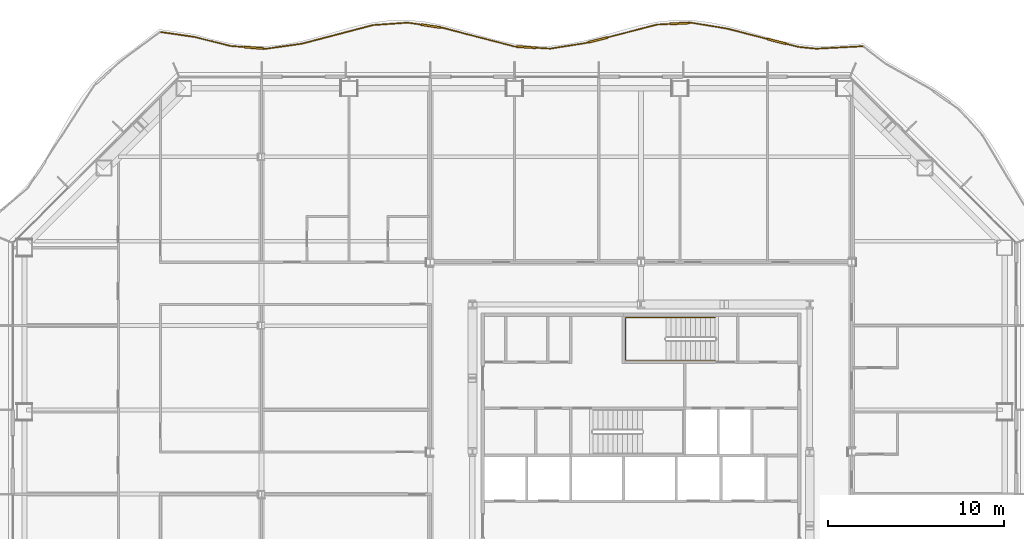
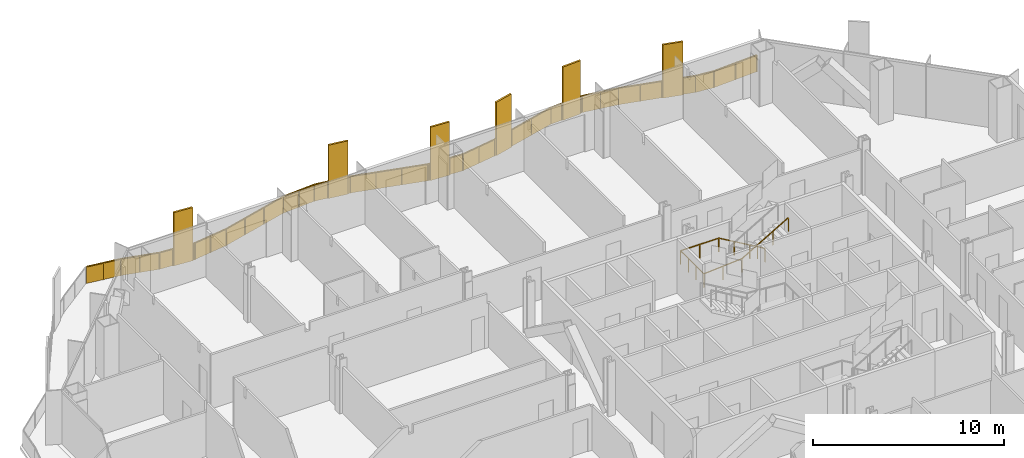
# One storey, part 17 of 18: 2 railings.
"""IFC4 building model written with IfcOpenShell, lengths in metres."""

from ifc_helpers import new_model, si_unit, direction, frame, origin, origin_2d, place, context, subcontext, project, spatial, polyline, rectangle, outline, extrude, material, type_object, element, save


model = new_model("IFC4")

# Units and contexts
model_context = context("Model", 3, precision=1e-05, world=origin(), true_north=direction((0.0, 1.0)))
body_context = subcontext(model_context, "Body", "Model", "MODEL_VIEW")
ifc_project = project(units=[si_unit("LENGTHUNIT", "METRE"), si_unit("AREAUNIT", "SQUARE_METRE"), si_unit("VOLUMEUNIT", "CUBIC_METRE"), si_unit("PLANEANGLEUNIT", "RADIAN"), si_unit("MASSUNIT", "GRAM", prefix="KILO")], contexts=[model_context])

# Site, building, storey
site_placement = place(None, origin())
site = spatial("IfcSite", under=ifc_project, at=site_placement, CompositionType="ELEMENT")
building_placement = place(site_placement, origin())
building = spatial("IfcBuilding", under=site, at=building_placement, Name="Cairn Pilgrim Tower", CompositionType="ELEMENT")
storey_placement = place(building_placement, frame((0.0, 0.0, 65.39990234375)))
storey = spatial("IfcBuildingStorey", under=building, at=storey_placement, Name="L14", CompositionType="ELEMENT", Elevation=65.39990234375)

# Railings
ifc_material_1 = material(Name="Bronze anodised aluminium rail, posts and fin screens with laminated glass infill", Category="aluminium")
railing_type_1 = type_object("IfcRailingType", Name="BALCONY GUARD WITH FIN SCREENS", PredefinedType="GUARDRAIL", material=ifc_material_1)
railing_1_placement = place(storey_placement, frame((19.83642578125, 25.498779296875, 0.0)))
element("IfcRailing", 1, at=railing_1_placement, inside=storey, type_object=railing_type_1, Name="Balcony guard BGF-4 with fin screens", PredefinedType="GUARDRAIL", context=body_context, shape_type="SweptSolid", body=[
    extrude(rectangle(XDim=0.050048828125, YDim=0.050048828125, at=origin_2d()), frame((0.0, 0.0, 1.0751953125), z_axis=(-0.998596742131, -0.052957970176, 0.0), x_axis=(0.052957970176, -0.998596742131, 0.0)), (0.0, 0.0, 1.0), 2.66455078125),
    extrude(rectangle(XDim=0.050048828125, YDim=0.050048828125, at=origin_2d()), frame((-2.660888671875, -0.14111328125, 1.0751953125), z_axis=(-0.995136774735, 0.098502789656, 0.0), x_axis=(-0.098502789656, -0.995136774735, 0.0)), (0.0, 0.0, 1.0), 1.03857421875),
    extrude(rectangle(XDim=1.10009765625, YDim=0.110107421875, at=origin_2d()), frame((-4.915283203125, 0.275390625, 0.0), z_axis=(0.0, 0.0, 1.0), x_axis=(-0.968428079221, 0.249293111368, 0.0)), (0.0, 0.0, 1.0), 3.39990234375),
    extrude(rectangle(XDim=0.050048828125, YDim=0.050048828125, at=origin_2d()), frame((-3.6943359375, -0.038818359375, 1.0751953125), z_axis=(-0.968428079221, 0.249293111368, 0.0), x_axis=(-0.249293111368, -0.968428079221, 0.0)), (0.0, 0.0, 1.0), 0.710693359375),
    extrude(rectangle(XDim=0.050048828125, YDim=0.050048828125, at=origin_2d()), frame((-5.447998046875, 0.41259765625, 1.0751953125), z_axis=(-0.968428079221, 0.249293111368, 0.0), x_axis=(-0.249293111368, -0.968428079221, 0.0)), (0.0, 0.0, 1.0), 2.367919921875),
    extrude(rectangle(XDim=0.050048828125, YDim=0.050048828125, at=origin_2d()), frame((-7.7412109375, 1.0029296875, 1.0751953125), z_axis=(-0.986633917452, 0.162952486733, 0.0), x_axis=(-0.162952486733, -0.986633917452, 0.0)), (0.0, 0.0, 1.0), 2.025634765625),
    extrude(rectangle(XDim=1.10009765625, YDim=0.110107421875, at=origin_2d()), frame((-10.4384765625, 1.297119140625, 0.0), z_axis=(0.0, 0.0, 1.0), x_axis=(-0.998687020495, -0.051227288571, 0.0)), (0.0, 0.0, 1.0), 3.39990234375),
    extrude(rectangle(XDim=0.050048828125, YDim=0.050048828125, at=origin_2d()), frame((-9.73974609375, 1.3330078125, 1.0751953125), z_axis=(-0.998687020495, -0.051227288571, 0.0), x_axis=(0.051227288571, -0.998687020495, 0.0)), (0.0, 0.0, 1.0), 0.149658203125),
    extrude(rectangle(XDim=0.050048828125, YDim=0.050048828125, at=origin_2d()), frame((-10.98779296875, 1.26904296875, 1.0751953125), z_axis=(-0.998687020495, -0.051227288571, 0.0), x_axis=(0.051227288571, -0.998687020495, 0.0)), (0.0, 0.0, 1.0), 0.742431640625),
    extrude(rectangle(XDim=1.10009765625, YDim=0.110107421875, at=origin_2d()), frame((-15.086181640625, 0.360595703125, 0.0), z_axis=(0.0, 0.0, 1.0), x_axis=(-0.967986356448, -0.25100281618, 0.0)), (0.0, 0.0, 1.0), 3.39990234375),
    extrude(rectangle(XDim=0.050048828125, YDim=0.050048828125, at=origin_2d()), frame((-11.729248046875, 1.23095703125, 1.0751953125), z_axis=(-0.967986356448, -0.25100281618, 0.0), x_axis=(0.25100281618, -0.967986356448, 0.0)), (0.0, 0.0, 1.0), 2.917724609375),
    extrude(rectangle(XDim=0.050048828125, YDim=0.050048828125, at=origin_2d()), frame((-15.618408203125, 0.222412109375, 1.0751953125), z_axis=(-0.967986356448, -0.25100281618, 0.0), x_axis=(0.25100281618, -0.967986356448, 0.0)), (0.0, 0.0, 1.0), 0.14990234375),
    extrude(rectangle(XDim=0.050048828125, YDim=0.050048828125, at=origin_2d()), frame((-15.763671875, 0.184814453125, 1.0751953125), z_axis=(-0.987839364322, -0.155477941507, 0.0), x_axis=(0.155477941507, -0.987839364322, 0.0)), (0.0, 0.0, 1.0), 2.069580078125),
    extrude(rectangle(XDim=1.10009765625, YDim=0.110107421875, at=origin_2d()), frame((-19.161376953125, -0.054931640625, 0.0), z_axis=(0.0, 0.0, 1.0), x_axis=(-0.998164147912, 0.060566771616, 0.0)), (0.0, 0.0, 1.0), 3.39990234375),
    extrude(rectangle(XDim=0.050048828125, YDim=0.050048828125, at=origin_2d()), frame((-17.80810546875, -0.136962890625, 1.0751953125), z_axis=(-0.998164147912, 0.060566771616, 0.0), x_axis=(-0.060566771616, -0.998164147912, 0.0)), (0.0, 0.0, 1.0), 0.8056640625),
    extrude(rectangle(XDim=0.050048828125, YDim=0.050048828125, at=origin_2d()), frame((-19.710205078125, -0.021484375, 1.0751953125), z_axis=(-0.998164147912, 0.060566771616, 0.0), x_axis=(-0.060566771616, -0.998164147912, 0.0)), (0.0, 0.0, 1.0), 0.150146484375),
    extrude(rectangle(XDim=0.050048828125, YDim=0.050048828125, at=origin_2d()), frame((-19.860107421875, -0.012451171875, 1.0751953125), z_axis=(-0.967617272397, 0.252421897147, 0.0), x_axis=(-0.252421897147, -0.967617272397, 0.0)), (0.0, 0.0, 1.0), 4.18408203125),
    extrude(rectangle(XDim=1.10009765625, YDim=0.110107421875, at=origin_2d()), frame((-24.600830078125, 1.147216796875, 0.0), z_axis=(0.0, 0.0, 1.0), x_axis=(-0.98902222161, 0.14776686084, 0.0)), (0.0, 0.0, 1.0), 3.39990234375),
    extrude(rectangle(XDim=0.050048828125, YDim=0.050048828125, at=origin_2d()), frame((-23.90869140625, 1.043701171875, 1.0751953125), z_axis=(-0.98902222161, 0.14776686084, 0.0), x_axis=(-0.14776686084, -0.98902222161, 0.0)), (0.0, 0.0, 1.0), 0.14990234375),
    extrude(rectangle(XDim=0.050048828125, YDim=0.050048828125, at=origin_2d()), frame((-25.144775390625, 1.228271484375, 1.0751953125), z_axis=(-0.98902222161, 0.14776686084, 0.0), x_axis=(-0.14776686084, -0.98902222161, 0.0)), (0.0, 0.0, 1.0), 0.76904296875),
    extrude(rectangle(XDim=0.050048828125, YDim=0.050048828125, at=origin_2d()), frame((-25.905517578125, 1.342041015625, 1.0751953125), z_axis=(-0.99756560985, -0.069734166987, 0.0), x_axis=(0.069734166987, -0.99756560985, 0.0)), (0.0, 0.0, 1.0), 1.99560546875),
    extrude(rectangle(XDim=0.050048828125, YDim=0.050048828125, at=origin_2d()), frame((-27.896240234375, 1.202880859375, 1.0751953125), z_axis=(-0.967309037399, -0.253600524773, 0.0), x_axis=(0.253600524773, -0.967309037399, 0.0)), (0.0, 0.0, 1.0), 4.17333984375),
    extrude(rectangle(XDim=0.050048828125, YDim=0.050048828125, at=origin_2d()), frame((-31.93310546875, 0.14453125, 1.0751953125), z_axis=(-0.990168047105, -0.139882945683, 0.0), x_axis=(0.139882945683, -0.990168047105, 0.0)), (0.0, 0.0, 1.0), 2.06640625),
    extrude(rectangle(XDim=1.10009765625, YDim=0.110107421875, at=origin_2d()), frame((-34.6767578125, -0.08935546875, 0.0), z_axis=(0.0, 0.0, 1.0), x_axis=(-0.996888090626, 0.078829783515, 0.0)), (0.0, 0.0, 1.0), 3.39990234375),
    extrude(rectangle(XDim=0.050048828125, YDim=0.050048828125, at=origin_2d()), frame((-33.979248046875, -0.14453125, 1.0751953125), z_axis=(-0.996888090626, 0.078829783515, 0.0), x_axis=(-0.078829783515, -0.996888090626, 0.0)), (0.0, 0.0, 1.0), 0.149658203125),
    extrude(rectangle(XDim=0.050048828125, YDim=0.050048828125, at=origin_2d()), frame((-35.22509765625, -0.0458984375, 1.0751953125), z_axis=(-0.996888090626, 0.078829783515, 0.0), x_axis=(-0.078829783515, -0.996888090626, 0.0)), (0.0, 0.0, 1.0), 0.806640625),
    extrude(rectangle(XDim=0.050048828125, YDim=0.050048828125, at=origin_2d()), frame((-36.029296875, 0.017578125, 1.0751953125), z_axis=(-0.969680140689, 0.244377627357, 0.0), x_axis=(-0.244377627357, -0.969680140689, 0.0)), (0.0, 0.0, 1.0), 2.0888671875),
    extrude(rectangle(XDim=0.050048828125, YDim=0.050048828125, at=origin_2d()), frame((-38.054931640625, 0.528076171875, 1.0751953125), z_axis=(-0.989691629643, 0.143214797471, 0.0), x_axis=(-0.143214797471, -0.989691629643, 0.0)), (0.0, 0.0, 1.0), 1.924560546875),
    extrude(rectangle(XDim=0.050048828125, YDim=0.050048828125, at=origin_2d()), origin(), (0.0, 0.0, 1.0), 1.050048828125),
    extrude(rectangle(XDim=0.050048828125, YDim=0.050048828125, at=origin_2d()), frame((-1.33056640625, -0.070556640625, 0.0)), (0.0, 0.0, 1.0), 1.050048828125),
    extrude(rectangle(XDim=0.050048828125, YDim=0.050048828125, at=origin_2d()), frame((-2.660888671875, -0.14111328125, 0.0)), (0.0, 0.0, 1.0), 1.050048828125),
    extrude(rectangle(XDim=0.050048828125, YDim=0.050048828125, at=origin_2d()), frame((-3.6943359375, -0.038818359375, 0.0)), (0.0, 0.0, 1.0), 1.050048828125),
    extrude(rectangle(XDim=0.050048828125, YDim=0.050048828125, at=origin_2d()), frame((-4.3583984375, 0.132080078125, 0.0)), (0.0, 0.0, 1.0), 1.050048828125),
    extrude(rectangle(XDim=0.050048828125, YDim=0.050048828125, at=origin_2d()), frame((-5.47216796875, 0.4189453125, 0.0)), (0.0, 0.0, 1.0), 1.050048828125),
    extrude(rectangle(XDim=0.050048828125, YDim=0.050048828125, at=origin_2d()), frame((-6.606689453125, 0.7109375, 0.0)), (0.0, 0.0, 1.0), 1.050048828125),
    extrude(rectangle(XDim=0.050048828125, YDim=0.050048828125, at=origin_2d()), frame((-7.7412109375, 1.0029296875, 0.0)), (0.0, 0.0, 1.0), 1.050048828125),
    extrude(rectangle(XDim=0.050048828125, YDim=0.050048828125, at=origin_2d()), frame((-8.740478515625, 1.16796875, 0.0)), (0.0, 0.0, 1.0), 1.050048828125),
    extrude(rectangle(XDim=0.050048828125, YDim=0.050048828125, at=origin_2d()), frame((-9.73974609375, 1.3330078125, 0.0)), (0.0, 0.0, 1.0), 1.050048828125),
    extrude(rectangle(XDim=0.050048828125, YDim=0.050048828125, at=origin_2d()), frame((-9.8642578125, 1.32666015625, 0.0)), (0.0, 0.0, 1.0), 1.050048828125),
    extrude(rectangle(XDim=0.050048828125, YDim=0.050048828125, at=origin_2d()), frame((-11.012939453125, 1.267822265625, 0.0)), (0.0, 0.0, 1.0), 1.050048828125),
    extrude(rectangle(XDim=0.050048828125, YDim=0.050048828125, at=origin_2d()), frame((-11.729248046875, 1.23095703125, 0.0)), (0.0, 0.0, 1.0), 1.050048828125),
    extrude(rectangle(XDim=0.050048828125, YDim=0.050048828125, at=origin_2d()), frame((-13.12939453125, 0.867919921875, 0.0)), (0.0, 0.0, 1.0), 1.050048828125),
    extrude(rectangle(XDim=0.050048828125, YDim=0.050048828125, at=origin_2d()), frame((-14.529541015625, 0.5048828125, 0.0)), (0.0, 0.0, 1.0), 1.050048828125),
    extrude(rectangle(XDim=0.050048828125, YDim=0.050048828125, at=origin_2d()), frame((-15.642578125, 0.21630859375, 0.0)), (0.0, 0.0, 1.0), 1.050048828125),
    extrude(rectangle(XDim=0.050048828125, YDim=0.050048828125, at=origin_2d()), frame((-15.763671875, 0.184814453125, 0.0)), (0.0, 0.0, 1.0), 1.050048828125),
    extrude(rectangle(XDim=0.050048828125, YDim=0.050048828125, at=origin_2d()), frame((-16.785888671875, 0.02392578125, 0.0)), (0.0, 0.0, 1.0), 1.050048828125),
    extrude(rectangle(XDim=0.050048828125, YDim=0.050048828125, at=origin_2d()), frame((-17.80810546875, -0.136962890625, 0.0)), (0.0, 0.0, 1.0), 1.050048828125),
    extrude(rectangle(XDim=0.050048828125, YDim=0.050048828125, at=origin_2d()), frame((-18.58740234375, -0.089599609375, 0.0)), (0.0, 0.0, 1.0), 1.050048828125),
    extrude(rectangle(XDim=0.050048828125, YDim=0.050048828125, at=origin_2d()), frame((-19.7353515625, -0.02001953125, 0.0)), (0.0, 0.0, 1.0), 1.050048828125),
    extrude(rectangle(XDim=0.050048828125, YDim=0.050048828125, at=origin_2d()), frame((-19.860107421875, -0.012451171875, 0.0)), (0.0, 0.0, 1.0), 1.050048828125),
    extrude(rectangle(XDim=0.050048828125, YDim=0.050048828125, at=origin_2d()), frame((-21.209716796875, 0.339599609375, 0.0)), (0.0, 0.0, 1.0), 1.050048828125),
    extrude(rectangle(XDim=0.050048828125, YDim=0.050048828125, at=origin_2d()), frame((-22.55908203125, 0.691650390625, 0.0)), (0.0, 0.0, 1.0), 1.050048828125),
    extrude(rectangle(XDim=0.050048828125, YDim=0.050048828125, at=origin_2d()), frame((-23.90869140625, 1.043701171875, 0.0)), (0.0, 0.0, 1.0), 1.050048828125),
    extrude(rectangle(XDim=0.050048828125, YDim=0.050048828125, at=origin_2d()), frame((-24.0322265625, 1.062255859375, 0.0)), (0.0, 0.0, 1.0), 1.050048828125),
    extrude(rectangle(XDim=0.050048828125, YDim=0.050048828125, at=origin_2d()), frame((-25.16943359375, 1.232177734375, 0.0)), (0.0, 0.0, 1.0), 1.050048828125),
    extrude(rectangle(XDim=0.050048828125, YDim=0.050048828125, at=origin_2d()), frame((-25.905517578125, 1.342041015625, 0.0)), (0.0, 0.0, 1.0), 1.050048828125),
    extrude(rectangle(XDim=0.050048828125, YDim=0.050048828125, at=origin_2d()), frame((-26.90087890625, 1.2724609375, 0.0)), (0.0, 0.0, 1.0), 1.050048828125),
    extrude(rectangle(XDim=0.050048828125, YDim=0.050048828125, at=origin_2d()), frame((-27.896240234375, 1.202880859375, 0.0)), (0.0, 0.0, 1.0), 1.050048828125),
    extrude(rectangle(XDim=0.050048828125, YDim=0.050048828125, at=origin_2d()), frame((-29.241943359375, 0.85009765625, 0.0)), (0.0, 0.0, 1.0), 1.050048828125),
    extrude(rectangle(XDim=0.050048828125, YDim=0.050048828125, at=origin_2d()), frame((-30.58740234375, 0.497314453125, 0.0)), (0.0, 0.0, 1.0), 1.050048828125),
    extrude(rectangle(XDim=0.050048828125, YDim=0.050048828125, at=origin_2d()), frame((-31.93310546875, 0.14453125, 0.0)), (0.0, 0.0, 1.0), 1.050048828125),
    extrude(rectangle(XDim=0.050048828125, YDim=0.050048828125, at=origin_2d()), frame((-32.9560546875, 0.0, 0.0)), (0.0, 0.0, 1.0), 1.050048828125),
    extrude(rectangle(XDim=0.050048828125, YDim=0.050048828125, at=origin_2d()), frame((-33.979248046875, -0.14453125, 0.0)), (0.0, 0.0, 1.0), 1.050048828125),
    extrude(rectangle(XDim=0.050048828125, YDim=0.050048828125, at=origin_2d()), frame((-34.103515625, -0.134765625, 0.0)), (0.0, 0.0, 1.0), 1.050048828125),
    extrude(rectangle(XDim=0.050048828125, YDim=0.050048828125, at=origin_2d()), frame((-35.25, -0.0439453125, 0.0)), (0.0, 0.0, 1.0), 1.050048828125),
    extrude(rectangle(XDim=0.050048828125, YDim=0.050048828125, at=origin_2d()), frame((-36.029296875, 0.017578125, 0.0)), (0.0, 0.0, 1.0), 1.050048828125),
    extrude(rectangle(XDim=0.050048828125, YDim=0.050048828125, at=origin_2d()), frame((-37.0419921875, 0.27294921875, 0.0)), (0.0, 0.0, 1.0), 1.050048828125),
    extrude(rectangle(XDim=0.050048828125, YDim=0.050048828125, at=origin_2d()), frame((-38.054931640625, 0.528076171875, 0.0)), (0.0, 0.0, 1.0), 1.050048828125),
    extrude(rectangle(XDim=0.050048828125, YDim=0.050048828125, at=origin_2d()), frame((-39.00732421875, 0.666015625, 0.0)), (0.0, 0.0, 1.0), 1.050048828125),
    extrude(rectangle(XDim=0.050048828125, YDim=0.050048828125, at=origin_2d()), frame((-39.959716796875, 0.8037109375, 0.0)), (0.0, 0.0, 1.0), 1.050048828125),
    extrude(outline(polyline([(0.02490234375, 0.0), (1.307373046875, 0.0), (1.307373046875, 1.050048828125), (0.02490234375, 1.050048828125), (0.02490234375, 0.0)])), frame((0.000244140625, -0.005859375, 0.0), z_axis=(-0.052957970176, 0.998596742131, 0.0), x_axis=(-0.998596742131, -0.052957970176, 0.0)), (0.0, 0.0, 1.0), 0.011962890625),
    extrude(outline(polyline([(0.02490234375, 0.0), (1.307373046875, 0.0), (1.307373046875, 1.050048828125), (0.02490234375, 1.050048828125), (0.02490234375, 0.0)])), frame((-1.330078125, -0.076416015625, 0.0), z_axis=(-0.052957970176, 0.998596742131, 0.0), x_axis=(-0.998596742131, -0.052957970176, 0.0)), (0.0, 0.0, 1.0), 0.011962890625),
    extrude(outline(polyline([(0.02490234375, 0.0), (1.013427734375, 0.0), (1.013427734375, 1.050048828125), (0.02490234375, 1.050048828125), (0.02490234375, 0.0)])), frame((-2.661376953125, -0.14697265625, 0.0), z_axis=(0.098502789656, 0.995136774735, 0.0), x_axis=(-0.995136774735, 0.098502789656, 0.0)), (0.0, 0.0, 1.0), 0.011962890625),
    extrude(outline(polyline([(0.02490234375, 0.0), (0.66064453125, 0.0), (0.66064453125, 1.050048828125), (0.02490234375, 1.050048828125), (0.02490234375, 0.0)])), frame((-3.69580078125, -0.044677734375, 0.0), z_axis=(0.249293111368, 0.968428079221, 0.0), x_axis=(-0.968428079221, 0.249293111368, 0.0)), (0.0, 0.0, 1.0), 0.011962890625),
    extrude(outline(polyline([(0.02490234375, 0.0), (1.146484375, 0.0), (1.146484375, 1.050048828125), (0.02490234375, 1.050048828125), (0.02490234375, 0.0)])), frame((-5.4736328125, 0.4130859375, 0.0), z_axis=(0.249293111368, 0.968428079221, 0.0), x_axis=(-0.968428079221, 0.249293111368, 0.0)), (0.0, 0.0, 1.0), 0.011962890625),
    extrude(outline(polyline([(0.02490234375, 0.0), (1.146484375, 0.0), (1.146484375, 1.050048828125), (0.02490234375, 1.050048828125), (0.02490234375, 0.0)])), frame((-6.608154296875, 0.705078125, 0.0), z_axis=(0.249293111368, 0.968428079221, 0.0), x_axis=(-0.968428079221, 0.249293111368, 0.0)), (0.0, 0.0, 1.0), 0.011962890625),
    extrude(outline(polyline([(0.02490234375, 0.0), (0.98779296875, 0.0), (0.98779296875, 1.050048828125), (0.02490234375, 1.050048828125), (0.02490234375, 0.0)])), frame((-7.7421875, 0.9970703125, 0.0), z_axis=(0.162952486733, 0.986633917452, 0.0), x_axis=(-0.986633917452, 0.162952486733, 0.0)), (0.0, 0.0, 1.0), 0.011962890625),
    extrude(outline(polyline([(0.02490234375, 0.0), (0.98779296875, 0.0), (0.98779296875, 1.050048828125), (0.02490234375, 1.050048828125), (0.02490234375, 0.0)])), frame((-8.741455078125, 1.162109375, 0.0), z_axis=(0.162952486733, 0.986633917452, 0.0), x_axis=(-0.986633917452, 0.162952486733, 0.0)), (0.0, 0.0, 1.0), 0.011962890625),
    extrude(outline(polyline([(0.02490234375, 0.0), (0.099609375, 0.0), (0.099609375, 1.050048828125), (0.02490234375, 1.050048828125), (0.02490234375, 0.0)])), frame((-9.739501953125, 1.3271484375, 0.0), z_axis=(-0.051227288571, 0.998687020495, 0.0), x_axis=(-0.998687020495, -0.051227288571, 0.0)), (0.0, 0.0, 1.0), 0.011962890625),
    extrude(outline(polyline([(0.02490234375, 0.0), (0.6923828125, 0.0), (0.6923828125, 1.050048828125), (0.02490234375, 1.050048828125), (0.02490234375, 0.0)])), frame((-11.012451171875, 1.26171875, 0.0), z_axis=(-0.051227288571, 0.998687020495, 0.0), x_axis=(-0.998687020495, -0.051227288571, 0.0)), (0.0, 0.0, 1.0), 0.011962890625),
    extrude(outline(polyline([(0.02490234375, 0.0), (1.42138671875, 0.0), (1.42138671875, 1.050048828125), (0.02490234375, 1.050048828125), (0.02490234375, 0.0)])), frame((-11.727783203125, 1.22509765625, 0.0), z_axis=(-0.25100281618, 0.967986356448, 0.0), x_axis=(-0.967986356448, -0.25100281618, 0.0)), (0.0, 0.0, 1.0), 0.011962890625),
    extrude(outline(polyline([(0.02490234375, 0.0), (1.42138671875, 0.0), (1.42138671875, 1.050048828125), (0.02490234375, 1.050048828125), (0.02490234375, 0.0)])), frame((-13.1279296875, 0.862060546875, 0.0), z_axis=(-0.25100281618, 0.967986356448, 0.0), x_axis=(-0.967986356448, -0.25100281618, 0.0)), (0.0, 0.0, 1.0), 0.011962890625),
    extrude(outline(polyline([(0.02490234375, 0.0), (0.099853515625, 0.0), (0.099853515625, 1.050048828125), (0.02490234375, 1.050048828125), (0.02490234375, 0.0)])), frame((-15.64111328125, 0.21044921875, 0.0), z_axis=(-0.25100281618, 0.967986356448, 0.0), x_axis=(-0.967986356448, -0.25100281618, 0.0)), (0.0, 0.0, 1.0), 0.011962890625),
    extrude(outline(polyline([(0.02490234375, 0.0), (1.009765625, 0.0), (1.009765625, 1.050048828125), (0.02490234375, 1.050048828125), (0.02490234375, 0.0)])), frame((-15.7626953125, 0.178955078125, 0.0), z_axis=(-0.155477941507, 0.987839364322, 0.0), x_axis=(-0.987839364322, -0.155477941507, 0.0)), (0.0, 0.0, 1.0), 0.011962890625),
    extrude(outline(polyline([(0.02490234375, 0.0), (1.009765625, 0.0), (1.009765625, 1.050048828125), (0.02490234375, 1.050048828125), (0.02490234375, 0.0)])), frame((-16.784912109375, 0.01806640625, 0.0), z_axis=(-0.155477941507, 0.987839364322, 0.0), x_axis=(-0.987839364322, -0.155477941507, 0.0)), (0.0, 0.0, 1.0), 0.011962890625),
    extrude(outline(polyline([(0.02490234375, 0.0), (0.755615234375, 0.0), (0.755615234375, 1.050048828125), (0.02490234375, 1.050048828125), (0.02490234375, 0.0)])), frame((-17.808349609375, -0.142822265625, 0.0), z_axis=(0.060566771616, 0.998164147912, 0.0), x_axis=(-0.998164147912, 0.060566771616, 0.0)), (0.0, 0.0, 1.0), 0.011962890625),
    extrude(outline(polyline([(0.02490234375, 0.0), (0.10009765625, 0.0), (0.10009765625, 1.050048828125), (0.02490234375, 1.050048828125), (0.02490234375, 0.0)])), frame((-19.735595703125, -0.02587890625, 0.0), z_axis=(0.060566771616, 0.998164147912, 0.0), x_axis=(-0.998164147912, 0.060566771616, 0.0)), (0.0, 0.0, 1.0), 0.011962890625),
    extrude(outline(polyline([(0.02490234375, 0.0), (1.36962890625, 0.0), (1.36962890625, 1.050048828125), (0.02490234375, 1.050048828125), (0.02490234375, 0.0)])), frame((-19.861572265625, -0.018310546875, 0.0), z_axis=(0.252421897147, 0.967617272397, 0.0), x_axis=(-0.967617272397, 0.252421897147, 0.0)), (0.0, 0.0, 1.0), 0.011962890625),
    extrude(outline(polyline([(0.02490234375, 0.0), (1.36962890625, 0.0), (1.36962890625, 1.050048828125), (0.02490234375, 1.050048828125), (0.02490234375, 0.0)])), frame((-21.211181640625, 0.333740234375, 0.0), z_axis=(0.252421897147, 0.967617272397, 0.0), x_axis=(-0.967617272397, 0.252421897147, 0.0)), (0.0, 0.0, 1.0), 0.011962890625),
    extrude(outline(polyline([(0.02490234375, 0.0), (1.36962890625, 0.0), (1.36962890625, 1.050048828125), (0.02490234375, 1.050048828125), (0.02490234375, 0.0)])), frame((-22.560791015625, 0.685791015625, 0.0), z_axis=(0.252421897147, 0.967617272397, 0.0), x_axis=(-0.967617272397, 0.252421897147, 0.0)), (0.0, 0.0, 1.0), 0.011962890625),
    extrude(outline(polyline([(0.02490234375, 0.0), (0.099853515625, 0.0), (0.099853515625, 1.050048828125), (0.02490234375, 1.050048828125), (0.02490234375, 0.0)])), frame((-23.90966796875, 1.037841796875, 0.0), z_axis=(0.14776686084, 0.98902222161, 0.0), x_axis=(-0.98902222161, 0.14776686084, 0.0)), (0.0, 0.0, 1.0), 0.011962890625),
    extrude(outline(polyline([(0.02490234375, 0.0), (0.718994140625, 0.0), (0.718994140625, 1.050048828125), (0.02490234375, 1.050048828125), (0.02490234375, 0.0)])), frame((-25.17041015625, 1.22607421875, 0.0), z_axis=(0.14776686084, 0.98902222161, 0.0), x_axis=(-0.98902222161, 0.14776686084, 0.0)), (0.0, 0.0, 1.0), 0.011962890625),
    extrude(outline(polyline([(0.02490234375, 0.0), (0.97265625, 0.0), (0.97265625, 1.050048828125), (0.02490234375, 1.050048828125), (0.02490234375, 0.0)])), frame((-25.905029296875, 1.336181640625, 0.0), z_axis=(-0.069734166987, 0.99756560985, 0.0), x_axis=(-0.99756560985, -0.069734166987, 0.0)), (0.0, 0.0, 1.0), 0.011962890625),
    extrude(outline(polyline([(0.02490234375, 0.0), (0.97265625, 0.0), (0.97265625, 1.050048828125), (0.02490234375, 1.050048828125), (0.02490234375, 0.0)])), frame((-26.900390625, 1.2666015625, 0.0), z_axis=(-0.069734166987, 0.99756560985, 0.0), x_axis=(-0.99756560985, -0.069734166987, 0.0)), (0.0, 0.0, 1.0), 0.011962890625),
    extrude(outline(polyline([(0.02490234375, 0.0), (1.365966796875, 0.0), (1.365966796875, 1.050048828125), (0.02490234375, 1.050048828125), (0.02490234375, 0.0)])), frame((-27.894775390625, 1.197021484375, 0.0), z_axis=(-0.253600524773, 0.967309037399, 0.0), x_axis=(-0.967309037399, -0.253600524773, 0.0)), (0.0, 0.0, 1.0), 0.011962890625),
    extrude(outline(polyline([(0.02490234375, 0.0), (1.365966796875, 0.0), (1.365966796875, 1.050048828125), (0.02490234375, 1.050048828125), (0.02490234375, 0.0)])), frame((-29.240234375, 0.84423828125, 0.0), z_axis=(-0.253600524773, 0.967309037399, 0.0), x_axis=(-0.967309037399, -0.253600524773, 0.0)), (0.0, 0.0, 1.0), 0.011962890625),
    extrude(outline(polyline([(0.02490234375, 0.0), (1.365966796875, 0.0), (1.365966796875, 1.050048828125), (0.02490234375, 1.050048828125), (0.02490234375, 0.0)])), frame((-30.5859375, 0.491455078125, 0.0), z_axis=(-0.253600524773, 0.967309037399, 0.0), x_axis=(-0.967309037399, -0.253600524773, 0.0)), (0.0, 0.0, 1.0), 0.011962890625),
    extrude(outline(polyline([(0.02490234375, 0.0), (1.00830078125, 0.0), (1.00830078125, 1.050048828125), (0.02490234375, 1.050048828125), (0.02490234375, 0.0)])), frame((-31.932373046875, 0.138671875, 0.0), z_axis=(-0.139882945683, 0.990168047105, 0.0), x_axis=(-0.990168047105, -0.139882945683, 0.0)), (0.0, 0.0, 1.0), 0.011962890625),
    extrude(outline(polyline([(0.02490234375, 0.0), (1.00830078125, 0.0), (1.00830078125, 1.050048828125), (0.02490234375, 1.050048828125), (0.02490234375, 0.0)])), frame((-32.955322265625, -0.005859375, 0.0), z_axis=(-0.139882945683, 0.990168047105, 0.0), x_axis=(-0.990168047105, -0.139882945683, 0.0)), (0.0, 0.0, 1.0), 0.011962890625),
    extrude(outline(polyline([(0.02490234375, 0.0), (0.099609375, 0.0), (0.099609375, 1.050048828125), (0.02490234375, 1.050048828125), (0.02490234375, 0.0)])), frame((-33.979736328125, -0.150390625, 0.0), z_axis=(0.078829783515, 0.996888090626, 0.0), x_axis=(-0.996888090626, 0.078829783515, 0.0)), (0.0, 0.0, 1.0), 0.011962890625),
    extrude(outline(polyline([(0.02490234375, 0.0), (0.756591796875, 0.0), (0.756591796875, 1.050048828125), (0.02490234375, 1.050048828125), (0.02490234375, 0.0)])), frame((-35.25048828125, -0.050048828125, 0.0), z_axis=(0.078829783515, 0.996888090626, 0.0), x_axis=(-0.996888090626, 0.078829783515, 0.0)), (0.0, 0.0, 1.0), 0.011962890625),
    extrude(outline(polyline([(0.02490234375, 0.0), (1.01953125, 0.0), (1.01953125, 1.050048828125), (0.02490234375, 1.050048828125), (0.02490234375, 0.0)])), frame((-36.03076171875, 0.01171875, 0.0), z_axis=(0.244377627357, 0.969680140689, 0.0), x_axis=(-0.969680140689, 0.244377627357, 0.0)), (0.0, 0.0, 1.0), 0.011962890625),
    extrude(outline(polyline([(0.02490234375, 0.0), (1.01953125, 0.0), (1.01953125, 1.050048828125), (0.02490234375, 1.050048828125), (0.02490234375, 0.0)])), frame((-37.04345703125, 0.26708984375, 0.0), z_axis=(0.244377627357, 0.969680140689, 0.0), x_axis=(-0.969680140689, 0.244377627357, 0.0)), (0.0, 0.0, 1.0), 0.011962890625),
    extrude(outline(polyline([(0.02490234375, 0.0), (0.937255859375, 0.0), (0.937255859375, 1.050048828125), (0.02490234375, 1.050048828125), (0.02490234375, 0.0)])), frame((-38.055908203125, 0.522216796875, 0.0), z_axis=(0.143214797471, 0.989691629643, 0.0), x_axis=(-0.989691629643, 0.143214797471, 0.0)), (0.0, 0.0, 1.0), 0.011962890625),
    extrude(outline(polyline([(0.02490234375, 0.0), (0.937255859375, 0.0), (0.937255859375, 1.050048828125), (0.02490234375, 1.050048828125), (0.02490234375, 0.0)])), frame((-39.00830078125, 0.659912109375, 0.0), z_axis=(0.143214797471, 0.989691629643, 0.0), x_axis=(-0.989691629643, 0.143214797471, 0.0)), (0.0, 0.0, 1.0), 0.011962890625),
])
ifc_material_2 = material(Name="Painted steel", Category="steel")
railing_type_2 = type_object("IfcRailingType", Name="STAIR HANDRAIL 900", PredefinedType="HANDRAIL", material=ifc_material_2)
railing_2_placement = place(storey_placement, frame((11.425048828125, 10.050048828125, 0.163818359375)))
element("IfcRailing", 2, at=railing_2_placement, inside=storey, type_object=railing_type_2, Name="L14 ST-C stair handrail 1", PredefinedType="HANDRAIL", context=body_context, shape_type="SweptSolid", body=[
    extrude(rectangle(XDim=0.048095703125, YDim=0.048095703125, at=origin_2d()), frame((0.0, 0.0, 0.8759765625), z_axis=(-0.863393664356, 0.0, 0.504530851732), x_axis=(0.0, -1.0, 0.0)), (0.0, 0.0, 1.0), 3.2431640625),
    extrude(rectangle(XDim=0.048095703125, YDim=0.048095703125, at=origin_2d()), frame((-2.800048828125, 0.0, 2.51220703125), z_axis=(-1.0, 0.0, 0.0), x_axis=(0.0, -1.0, 0.0)), (0.0, 0.0, 1.0), 2.300048828125),
    extrude(rectangle(XDim=0.048095703125, YDim=0.048095703125, at=origin_2d()), frame((-5.10009765625, 0.0, 2.51220703125), z_axis=(0.0, -1.0, 0.0), x_axis=(1.0, 0.0, 0.0)), (0.0, 0.0, 1.0), 2.425048828125),
    extrude(rectangle(XDim=0.048095703125, YDim=0.048095703125, at=origin_2d()), frame((-5.10009765625, -2.425048828125, 2.51220703125), z_axis=(0.997480687736, 0.0, 0.070938548008), x_axis=(0.0, 1.0, 0.0)), (0.0, 0.0, 1.0), 2.305908203125),
    extrude(rectangle(XDim=0.048095703125, YDim=0.048095703125, at=origin_2d()), frame((-2.800048828125, -2.425048828125, 2.67578125), z_axis=(0.863360870873, 0.0, 0.504586966384), x_axis=(0.0, 1.0, 0.0)), (0.0, 0.0, 1.0), 3.2431640625),
    extrude(rectangle(XDim=0.0419921875, YDim=0.0419921875, at=origin_2d()), origin(), (0.0, 0.0, 1.0), 0.851806640625),
    extrude(rectangle(XDim=0.0419921875, YDim=0.0419921875, at=origin_2d()), frame((-0.933349609375, 0.0, 0.54541015625)), (0.0, 0.0, 1.0), 0.851806640625),
    extrude(rectangle(XDim=0.0419921875, YDim=0.0419921875, at=origin_2d()), frame((-1.86669921875, 0.0, 1.0908203125)), (0.0, 0.0, 1.0), 0.851806640625),
    extrude(rectangle(XDim=0.0419921875, YDim=0.0419921875, at=origin_2d()), frame((-2.800048828125, 0.0, 1.63623046875)), (0.0, 0.0, 1.0), 0.851806640625),
    extrude(rectangle(XDim=0.0419921875, YDim=0.0419921875, at=origin_2d()), frame((-3.9501953125, 0.0, 1.63623046875)), (0.0, 0.0, 1.0), 0.851806640625),
    extrude(rectangle(XDim=0.0419921875, YDim=0.0419921875, at=origin_2d()), frame((-5.10009765625, 0.0, 1.63623046875)), (0.0, 0.0, 1.0), 0.851806640625),
    extrude(rectangle(XDim=0.0419921875, YDim=0.0419921875, at=origin_2d()), frame((-5.10009765625, -0.808349609375, 1.63623046875)), (0.0, 0.0, 1.0), 0.851806640625),
    extrude(rectangle(XDim=0.0419921875, YDim=0.0419921875, at=origin_2d()), frame((-5.10009765625, -1.61669921875, 1.63623046875)), (0.0, 0.0, 1.0), 0.851806640625),
    extrude(rectangle(XDim=0.0419921875, YDim=0.0419921875, at=origin_2d()), frame((-5.10009765625, -2.425048828125, 1.63623046875)), (0.0, 0.0, 1.0), 0.851806640625),
    extrude(rectangle(XDim=0.0419921875, YDim=0.0419921875, at=origin_2d()), frame((-3.9501953125, -2.425048828125, 1.718017578125)), (0.0, 0.0, 1.0), 0.851806640625),
    extrude(rectangle(XDim=0.0419921875, YDim=0.0419921875, at=origin_2d()), frame((-2.800048828125, -2.425048828125, 1.7998046875)), (0.0, 0.0, 1.0), 0.851806640625),
    extrude(rectangle(XDim=0.0419921875, YDim=0.0419921875, at=origin_2d()), frame((-1.86669921875, -2.425048828125, 2.34521484375)), (0.0, 0.0, 1.0), 0.851806640625),
    extrude(rectangle(XDim=0.0419921875, YDim=0.0419921875, at=origin_2d()), frame((-0.933349609375, -2.425048828125, 2.890869140625)), (0.0, 0.0, 1.0), 0.851806640625),
    extrude(rectangle(XDim=0.0419921875, YDim=0.0419921875, at=origin_2d()), frame((0.0, -2.425048828125, 3.436279296875)), (0.0, 0.0, 1.0), 0.851806640625),
])

save(model, "model.ifc")
